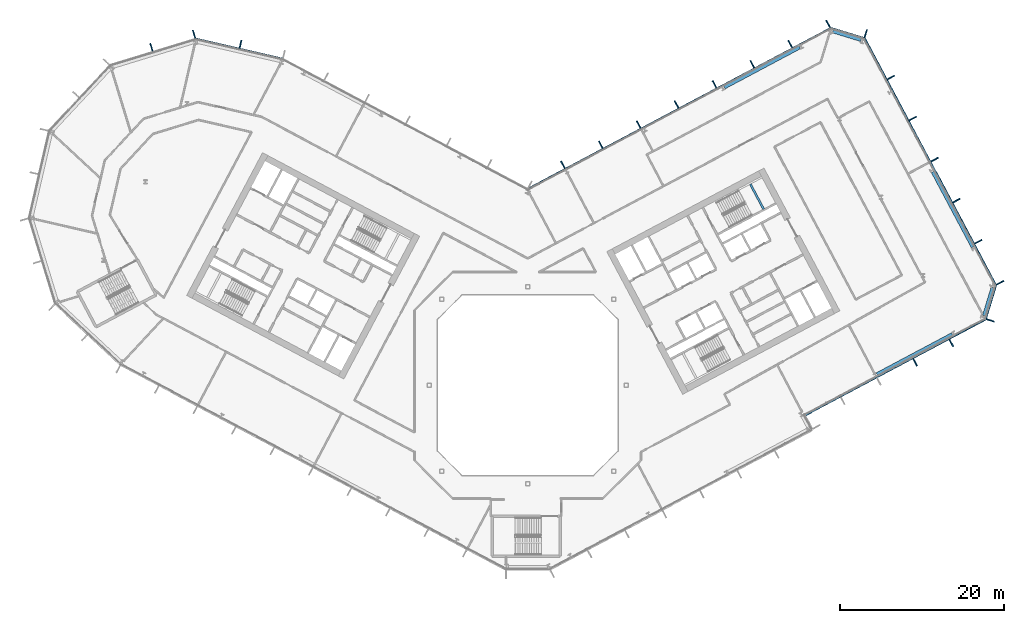
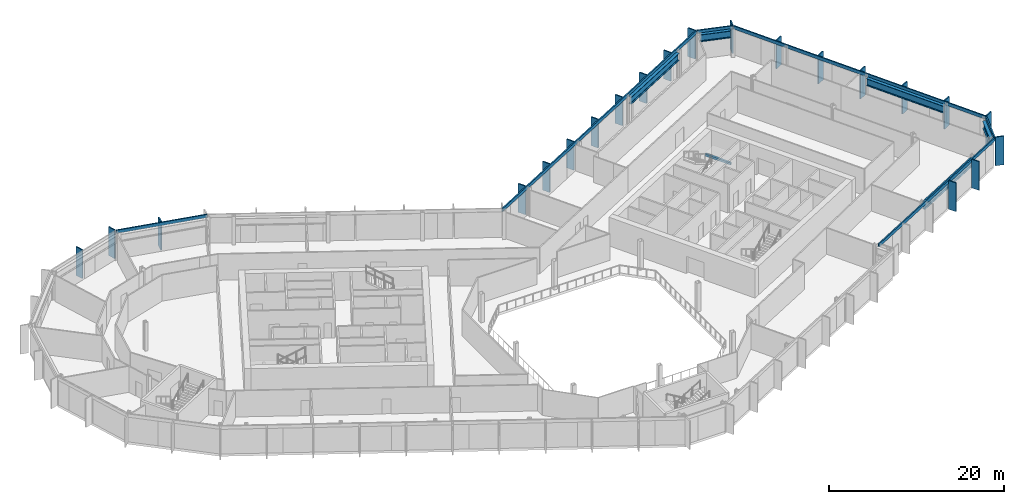
# One storey, part 10 of 28: 27 members, 6 beams, 7 elements without a shape of their own.
"""IFC4 building model written with IfcOpenShell, lengths in metres."""

from ifc_helpers import new_model, si_unit, direction, frame, origin, origin_2d, place, context, subcontext, project, spatial, rectangle, i_section, extrude, material, layer, layer_set, material_profile, profile_set, type_object, element, aggregate, save


model = new_model("IFC4")

# Units and contexts
model_context = context("Model", 3, precision=1e-05, world=origin(), true_north=direction((0.0, 1.0)))
body_context = subcontext(model_context, "Body", "Model", "MODEL_VIEW")
ifc_project = project(units=[si_unit("LENGTHUNIT", "METRE"), si_unit("AREAUNIT", "SQUARE_METRE"), si_unit("VOLUMEUNIT", "CUBIC_METRE"), si_unit("PLANEANGLEUNIT", "RADIAN"), si_unit("MASSUNIT", "GRAM", prefix="KILO")], contexts=[model_context])

# Site, building, storey
site_placement = place(None, origin())
site = spatial("IfcSite", under=ifc_project, at=site_placement, CompositionType="ELEMENT")
building_placement = place(site_placement, origin())
building = spatial("IfcBuilding", under=site, at=building_placement, Name="Cormorant Relay Tower", CompositionType="ELEMENT")
storey_placement = place(building_placement, frame((0.0, 0.0, 122.199951171875)))
storey = spatial("IfcBuildingStorey", under=building, at=storey_placement, Name="L24", CompositionType="ELEMENT", Elevation=122.199951171875)

# Curtain wall, members
ifc_material_1 = material(Name="Aluminium 6063-T6 anodised bronze", Category="aluminium")
ifc_layer = layer(ifc_material_1, 0.199951171875)
ifc_layer_set = layer_set([ifc_layer], Name="CW1 unitised bronze curtain wall with vertical fins")
curtain_wall_type = type_object("IfcCurtainWallType", Name="CW1 unitised bronze curtain wall with vertical fins", PredefinedType="NOTDEFINED", material=ifc_layer_set)
curtain_wall_1_placement = place(storey_placement, origin())
curtain_wall_1 = element("IfcCurtainWall", 1, at=curtain_wall_1_placement, inside=storey, type_object=curtain_wall_type, Name="CW1 curtain wall 4", PredefinedType="NOTDEFINED")
ifc_material_2 = material(Name="Aluminium 6063-T6 anodised bronze", Category="aluminium")
ifc_material_profile_1 = material_profile(ifc_material_2, rectangle(XDim=0.14990234375, YDim=1.0, at=origin_2d()), Name="AL 150x1000")
ifc_profile_set_1 = profile_set([ifc_material_profile_1], Name="Aluminium 6063-T6 anodised bronze")
member_type_1 = type_object("IfcMemberType", Name="CW1 bronze fin mullion 150 x 1000", PredefinedType="MULLION", material=ifc_profile_set_1)
member_1_placement = place(storey_placement, frame((47.21533203125, 2.793212890625, 0.0), z_axis=(0.0, 0.0, 1.0), x_axis=(0.882947592859, 0.469471562786, 0.0)))
member_1 = element("IfcMember", 2, at=member_1_placement, type_object=member_type_1, Name="CW1 fin 4.4", PredefinedType="MULLION", context=body_context, shape_type="SweptSolid", body=[
    extrude(rectangle(XDim=0.14990234375, YDim=1.0, at=origin_2d()), origin(), (0.0, 0.0, 1.0), 4.0),
])
member_2_placement = place(storey_placement, frame((51.630126953125, 5.140625, 0.0), z_axis=(0.0, 0.0, 1.0), x_axis=(0.882947592859, 0.469471562786, 0.0)))
member_2 = element("IfcMember", 3, at=member_2_placement, type_object=member_type_1, Name="CW1 fin 4.5", PredefinedType="MULLION", context=body_context, shape_type="SweptSolid", body=[
    extrude(rectangle(XDim=0.14990234375, YDim=1.0, at=origin_2d()), origin(), (0.0, 0.0, 1.0), 4.0),
])

# Curtain wall, member
curtain_wall_2_placement = place(storey_placement, origin())
curtain_wall_2 = element("IfcCurtainWall", 4, at=curtain_wall_2_placement, inside=storey, type_object=curtain_wall_type, Name="CW1 curtain wall 5", PredefinedType="NOTDEFINED")
member_3_placement = place(storey_placement, frame((56.385498046875, 7.9013671875, 0.0), z_axis=(0.0, 0.0, 1.0), x_axis=(0.292371704723, 0.956304755963, 0.0)))
member_3 = element("IfcMember", 5, at=member_3_placement, type_object=member_type_1, Name="CW1 fin 5.1", PredefinedType="MULLION", context=body_context, shape_type="SweptSolid", body=[
    extrude(rectangle(XDim=0.14990234375, YDim=1.0, at=origin_2d()), origin(), (0.0, 0.0, 1.0), 4.0),
])

# Curtain wall, members
curtain_wall_3_placement = place(storey_placement, origin())
curtain_wall_3 = element("IfcCurtainWall", 6, at=curtain_wall_3_placement, inside=storey, type_object=curtain_wall_type, Name="CW1 curtain wall 6", PredefinedType="NOTDEFINED")
member_4_placement = place(storey_placement, frame((57.57470703125, 12.491943359375, 0.0), z_axis=(0.0, 0.0, 1.0), x_axis=(-0.469471562786, 0.882947592859, 0.0)))
member_4 = element("IfcMember", 7, at=member_4_placement, type_object=member_type_1, Name="CW1 fin 6.1", PredefinedType="MULLION", context=body_context, shape_type="SweptSolid", body=[
    extrude(rectangle(XDim=0.14990234375, YDim=1.0, at=origin_2d()), origin(), (0.0, 0.0, 1.0), 4.0),
])
member_5_placement = place(storey_placement, frame((54.914306640625, 17.4951171875, 0.0), z_axis=(0.0, 0.0, 1.0), x_axis=(-0.469471562786, 0.882947592859, 0.0)))
member_5 = element("IfcMember", 8, at=member_5_placement, type_object=member_type_1, Name="CW1 fin 6.2", PredefinedType="MULLION", context=body_context, shape_type="SweptSolid", body=[
    extrude(rectangle(XDim=0.14990234375, YDim=1.0, at=origin_2d()), origin(), (0.0, 0.0, 1.0), 4.0),
])
member_6_placement = place(storey_placement, frame((52.25390625, 22.49853515625, 0.0), z_axis=(0.0, 0.0, 1.0), x_axis=(-0.469471562786, 0.882947592859, 0.0)))
member_6 = element("IfcMember", 9, at=member_6_placement, type_object=member_type_1, Name="CW1 fin 6.3", PredefinedType="MULLION", context=body_context, shape_type="SweptSolid", body=[
    extrude(rectangle(XDim=0.14990234375, YDim=1.0, at=origin_2d()), origin(), (0.0, 0.0, 1.0), 4.0),
])
member_7_placement = place(storey_placement, frame((49.59375, 27.501953125, 0.0), z_axis=(0.0, 0.0, 1.0), x_axis=(-0.469471562786, 0.882947592859, 0.0)))
member_7 = element("IfcMember", 10, at=member_7_placement, type_object=member_type_1, Name="CW1 fin 6.4", PredefinedType="MULLION", context=body_context, shape_type="SweptSolid", body=[
    extrude(rectangle(XDim=0.14990234375, YDim=1.0, at=origin_2d()), origin(), (0.0, 0.0, 1.0), 4.0),
])
member_8_placement = place(storey_placement, frame((46.933349609375, 32.50537109375, 0.0), z_axis=(0.0, 0.0, 1.0), x_axis=(-0.469471562786, 0.882947592859, 0.0)))
member_8 = element("IfcMember", 11, at=member_8_placement, type_object=member_type_1, Name="CW1 fin 6.5", PredefinedType="MULLION", context=body_context, shape_type="SweptSolid", body=[
    extrude(rectangle(XDim=0.14990234375, YDim=1.0, at=origin_2d()), origin(), (0.0, 0.0, 1.0), 4.0),
])
member_9_placement = place(storey_placement, frame((44.27294921875, 37.5087890625, 0.0), z_axis=(0.0, 0.0, 1.0), x_axis=(-0.469471562786, 0.882947592859, 0.0)))
member_9 = element("IfcMember", 12, at=member_9_placement, type_object=member_type_1, Name="CW1 fin 6.6", PredefinedType="MULLION", context=body_context, shape_type="SweptSolid", body=[
    extrude(rectangle(XDim=0.14990234375, YDim=1.0, at=origin_2d()), origin(), (0.0, 0.0, 1.0), 4.0),
])

# Curtain wall, member
curtain_wall_4_placement = place(storey_placement, origin())
curtain_wall_4 = element("IfcCurtainWall", 13, at=curtain_wall_4_placement, inside=storey, type_object=curtain_wall_type, Name="CW1 curtain wall 7", PredefinedType="NOTDEFINED")
member_10_placement = place(storey_placement, frame((41.19921875, 42.852783203125, 0.0), z_axis=(0.0, 0.0, 1.0), x_axis=(-0.956304755963, 0.292371704723, 0.0)))
member_10 = element("IfcMember", 14, at=member_10_placement, type_object=member_type_1, Name="CW1 fin 7.1", PredefinedType="MULLION", context=body_context, shape_type="SweptSolid", body=[
    extrude(rectangle(XDim=0.14990234375, YDim=1.0, at=origin_2d()), origin(), (0.0, 0.0, 1.0), 4.0),
])

# Curtain wall, members
curtain_wall_5_placement = place(storey_placement, origin())
curtain_wall_5 = element("IfcCurtainWall", 15, at=curtain_wall_5_placement, inside=storey, type_object=curtain_wall_type, Name="CW1 curtain wall 8", PredefinedType="NOTDEFINED")
member_11_placement = place(storey_placement, frame((36.608642578125, 44.0419921875, 0.0), z_axis=(0.0, 0.0, 1.0), x_axis=(-0.882947592859, -0.469471562786, 0.0)))
member_11 = element("IfcMember", 16, at=member_11_placement, type_object=member_type_1, Name="CW1 fin 8.1", PredefinedType="MULLION", context=body_context, shape_type="SweptSolid", body=[
    extrude(rectangle(XDim=0.14990234375, YDim=1.0, at=origin_2d()), origin(), (0.0, 0.0, 1.0), 4.0),
])
member_12_placement = place(storey_placement, frame((31.991455078125, 41.5869140625, 0.0), z_axis=(0.0, 0.0, 1.0), x_axis=(-0.882947592859, -0.469471562786, 0.0)))
member_12 = element("IfcMember", 17, at=member_12_placement, type_object=member_type_1, Name="CW1 fin 8.2", PredefinedType="MULLION", context=body_context, shape_type="SweptSolid", body=[
    extrude(rectangle(XDim=0.14990234375, YDim=1.0, at=origin_2d()), origin(), (0.0, 0.0, 1.0), 4.0),
])
member_13_placement = place(storey_placement, frame((27.37451171875, 39.132080078125, 0.0), z_axis=(0.0, 0.0, 1.0), x_axis=(-0.882947592859, -0.469471562786, 0.0)))
member_13 = element("IfcMember", 18, at=member_13_placement, type_object=member_type_1, Name="CW1 fin 8.3", PredefinedType="MULLION", context=body_context, shape_type="SweptSolid", body=[
    extrude(rectangle(XDim=0.14990234375, YDim=1.0, at=origin_2d()), origin(), (0.0, 0.0, 1.0), 4.0),
])
member_14_placement = place(storey_placement, frame((22.757080078125, 36.677001953125, 0.0), z_axis=(0.0, 0.0, 1.0), x_axis=(-0.882947592859, -0.469471562786, 0.0)))
member_14 = element("IfcMember", 19, at=member_14_placement, type_object=member_type_1, Name="CW1 fin 8.4", PredefinedType="MULLION", context=body_context, shape_type="SweptSolid", body=[
    extrude(rectangle(XDim=0.14990234375, YDim=1.0, at=origin_2d()), origin(), (0.0, 0.0, 1.0), 4.0),
])
member_15_placement = place(storey_placement, frame((18.139892578125, 34.221923828125, 0.0), z_axis=(0.0, 0.0, 1.0), x_axis=(-0.882947592859, -0.469471562786, 0.0)))
member_15 = element("IfcMember", 20, at=member_15_placement, type_object=member_type_1, Name="CW1 fin 8.5", PredefinedType="MULLION", context=body_context, shape_type="SweptSolid", body=[
    extrude(rectangle(XDim=0.14990234375, YDim=1.0, at=origin_2d()), origin(), (0.0, 0.0, 1.0), 4.0),
])
member_16_placement = place(storey_placement, frame((13.52294921875, 31.76708984375, 0.0), z_axis=(0.0, 0.0, 1.0), x_axis=(-0.882947592859, -0.469471562786, 0.0)))
member_16 = element("IfcMember", 21, at=member_16_placement, type_object=member_type_1, Name="CW1 fin 8.6", PredefinedType="MULLION", context=body_context, shape_type="SweptSolid", body=[
    extrude(rectangle(XDim=0.14990234375, YDim=1.0, at=origin_2d()), origin(), (0.0, 0.0, 1.0), 4.0),
])
member_17_placement = place(storey_placement, frame((8.90576171875, 29.31201171875, 0.0), z_axis=(0.0, 0.0, 1.0), x_axis=(-0.882947592859, -0.469471562786, 0.0)))
member_17 = element("IfcMember", 22, at=member_17_placement, type_object=member_type_1, Name="CW1 fin 8.7", PredefinedType="MULLION", context=body_context, shape_type="SweptSolid", body=[
    extrude(rectangle(XDim=0.14990234375, YDim=1.0, at=origin_2d()), origin(), (0.0, 0.0, 1.0), 4.0),
])
member_18_placement = place(storey_placement, frame((4.28857421875, 26.85693359375, 0.0), z_axis=(0.0, 0.0, 1.0), x_axis=(-0.882947592859, -0.469471562786, 0.0)))
member_18 = element("IfcMember", 23, at=member_18_placement, type_object=member_type_1, Name="CW1 fin 8.8", PredefinedType="MULLION", context=body_context, shape_type="SweptSolid", body=[
    extrude(rectangle(XDim=0.14990234375, YDim=1.0, at=origin_2d()), origin(), (0.0, 0.0, 1.0), 4.0),
])

# Curtain wall, member
curtain_wall_6_placement = place(storey_placement, origin())
curtain_wall_6 = element("IfcCurtainWall", 24, at=curtain_wall_6_placement, inside=storey, type_object=curtain_wall_type, Name="CW1 curtain wall 10", PredefinedType="NOTDEFINED")
member_19_placement = place(storey_placement, frame((-35.01220703125, 41.57275390625, 0.0), z_axis=(0.0, 0.0, 1.0), x_axis=(-0.974370064785, 0.224951054344, 0.0)))
member_19 = element("IfcMember", 25, at=member_19_placement, type_object=member_type_1, Name="CW1 fin 10.2", PredefinedType="MULLION", context=body_context, shape_type="SweptSolid", body=[
    extrude(rectangle(XDim=0.14990234375, YDim=1.0, at=origin_2d()), origin(), (0.0, 0.0, 1.0), 4.0),
])

# Curtain wall, members
curtain_wall_7_placement = place(storey_placement, origin())
curtain_wall_7 = element("IfcCurtainWall", 26, at=curtain_wall_7_placement, inside=storey, type_object=curtain_wall_type, Name="CW1 curtain wall 11", PredefinedType="NOTDEFINED")
member_20_placement = place(storey_placement, frame((-40.670166015625, 42.78271484375, 0.0), z_axis=(0.0, 0.0, 1.0), x_axis=(-0.956304755963, -0.292371704723, 0.0)))
member_20 = element("IfcMember", 27, at=member_20_placement, type_object=member_type_1, Name="CW1 fin 11.1", PredefinedType="MULLION", context=body_context, shape_type="SweptSolid", body=[
    extrude(rectangle(XDim=0.14990234375, YDim=1.0, at=origin_2d()), origin(), (0.0, 0.0, 1.0), 4.0),
])
member_21_placement = place(storey_placement, frame((-45.867919921875, 41.193603515625, 0.0), z_axis=(0.0, 0.0, 1.0), x_axis=(-0.956304755963, -0.292371704723, 0.0)))
member_21 = element("IfcMember", 28, at=member_21_placement, type_object=member_type_1, Name="CW1 fin 11.2", PredefinedType="MULLION", context=body_context, shape_type="SweptSolid", body=[
    extrude(rectangle(XDim=0.14990234375, YDim=1.0, at=origin_2d()), origin(), (0.0, 0.0, 1.0), 4.0),
])
aggregate(curtain_wall_7, [member_20, member_21])

# Member
ifc_material_3 = material(Name="Aluminium 6063-T6 anodised bronze", Category="aluminium")
ifc_material_profile_2 = material_profile(ifc_material_3, rectangle(XDim=0.159912109375, YDim=0.449951171875, at=origin_2d()), Name="AL 160x450")
ifc_profile_set_2 = profile_set([ifc_material_profile_2], Name="Aluminium 6063-T6 anodised bronze")
member_type_2 = type_object("IfcMemberType", Name="CW1 bronze transom 160 x 450", PredefinedType="USERDEFINED", material=ifc_profile_set_2)
member_22_placement = place(storey_placement, frame((33.69873046875, -3.73681640625, 3.775146484375), z_axis=(0.88294749795, 0.469471741284, 0.0), x_axis=(-0.469471741284, 0.88294749795, 0.0)))
member_22 = element("IfcMember", 29, at=member_22_placement, type_object=member_type_2, Name="CW1 transom 4", ObjectType="TRANSOM", PredefinedType="USERDEFINED", context=body_context, shape_type="SweptSolid", body=[
    extrude(rectangle(XDim=0.159912109375, YDim=0.449951171875, at=origin_2d()), origin(), (0.0, 0.0, 1.0), 25.0),
])

aggregate(curtain_wall_1, [member_1, member_2, member_22])

member_23_placement = place(storey_placement, frame((55.830810546875, 8.07080078125, 3.775146484375), z_axis=(0.292374957137, 0.956303761594, 0.0), x_axis=(-0.956303761594, 0.292374957137, 0.0)))
member_23 = element("IfcMember", 30, at=member_23_placement, type_object=member_type_2, Name="CW1 transom 5", ObjectType="TRANSOM", PredefinedType="USERDEFINED", context=body_context, shape_type="SweptSolid", body=[
    extrude(rectangle(XDim=0.159912109375, YDim=0.449951171875, at=origin_2d()), origin(), (0.0, 0.0, 1.0), 4.24267578125),
])

aggregate(curtain_wall_2, [member_3, member_23])

member_24_placement = place(storey_placement, frame((57.0625, 12.219482421875, 3.775146484375), z_axis=(-0.469468277635, 0.882949339597, 0.0), x_axis=(-0.882949339597, -0.469468277635, 0.0)))
member_24 = element("IfcMember", 31, at=member_24_placement, type_object=member_type_2, Name="CW1 transom 6", ObjectType="TRANSOM", PredefinedType="USERDEFINED", context=body_context, shape_type="SweptSolid", body=[
    extrude(rectangle(XDim=0.159912109375, YDim=0.449951171875, at=origin_2d()), origin(), (0.0, 0.0, 1.0), 34.0),
])

aggregate(curtain_wall_3, [member_4, member_5, member_6, member_7, member_8, member_9, member_24])

member_25_placement = place(storey_placement, frame((41.02978515625, 42.298095703125, 3.775146484375), z_axis=(-0.956303761594, 0.292374957137, 0.0), x_axis=(-0.292374957137, -0.956303761594, 0.0)))
member_25 = element("IfcMember", 32, at=member_25_placement, type_object=member_type_2, Name="CW1 transom 7", ObjectType="TRANSOM", PredefinedType="USERDEFINED", context=body_context, shape_type="SweptSolid", body=[
    extrude(rectangle(XDim=0.159912109375, YDim=0.449951171875, at=origin_2d()), origin(), (0.0, 0.0, 1.0), 4.24267578125),
])

aggregate(curtain_wall_4, [member_10, member_25])

member_26_placement = place(storey_placement, frame((36.881103515625, 43.52978515625, 3.775146484375), z_axis=(-0.88294882701, -0.469469241677, 0.0), x_axis=(0.469469241677, -0.88294882701, 0.0)))
member_26 = element("IfcMember", 33, at=member_26_placement, type_object=member_type_2, Name="CW1 transom 8", ObjectType="TRANSOM", PredefinedType="USERDEFINED", context=body_context, shape_type="SweptSolid", body=[
    extrude(rectangle(XDim=0.159912109375, YDim=0.449951171875, at=origin_2d()), origin(), (0.0, 0.0, 1.0), 41.834228515625),
])

aggregate(curtain_wall_5, [member_11, member_12, member_13, member_14, member_15, member_16, member_17, member_18, member_26])

member_27_placement = place(storey_placement, frame((-29.8466796875, 39.784912109375, 3.775146484375), z_axis=(-0.974365070969, 0.224972683844, 0.0), x_axis=(-0.224972683844, -0.974365070969, 0.0)))
member_27 = element("IfcMember", 34, at=member_27_placement, type_object=member_type_2, Name="CW1 transom 10", ObjectType="TRANSOM", PredefinedType="USERDEFINED", context=body_context, shape_type="SweptSolid", body=[
    extrude(rectangle(XDim=0.159912109375, YDim=0.449951171875, at=origin_2d()), origin(), (0.0, 0.0, 1.0), 10.870361328125),
])

aggregate(curtain_wall_6, [member_19, member_27])

# Beams
ifc_material_4 = material(Name="Steel ASTM A992 (Fy 345 MPa)", Category="steel")
ifc_material_profile_3 = material_profile(ifc_material_4, i_section(OverallWidth=0.4013671875, OverallDepth=1.000732421875, WebThickness=0.01904296875, FlangeThickness=0.0361328125, FilletRadius=0.02978515625, at=origin_2d()), Name="W1000x371")
ifc_profile_set_3 = profile_set([ifc_material_profile_3], Name="Steel ASTM A992 (Fy 345 MPa)")
beam_type_1 = type_object("IfcBeamType", Name="Spandrel W1000x371", PredefinedType="SPANDREL", material=ifc_profile_set_3)
beam_1_placement = place(storey_placement, frame((42.5595703125, 1.337890625, 3.1396484375), z_axis=(0.882955922346, 0.469455896963, 0.0), x_axis=(-0.469455896963, 0.882955922346, 0.0)))
element("IfcBeam", 35, at=beam_1_placement, inside=storey, type_object=beam_type_1, Name="Spandrel beam L24-004", PredefinedType="SPANDREL", context=body_context, shape_type="SweptSolid", body=[
    extrude(i_section(OverallWidth=0.4013671875, OverallDepth=1.000732421875, WebThickness=0.01904296875, FlangeThickness=0.0361328125, FilletRadius=0.02978515625, at=origin_2d()), origin(), (0.0, 0.0, 1.0), 10.388427734375),
])
beam_2_placement = place(storey_placement, frame((55.62548828125, 8.495849609375, 3.1396484375), z_axis=(0.29237248799, 0.956304516494, 0.0), x_axis=(-0.956304516494, 0.29237248799, 0.0)))
element("IfcBeam", 36, at=beam_2_placement, inside=storey, type_object=beam_type_1, Name="Spandrel beam L24-005", PredefinedType="SPANDREL", context=body_context, shape_type="SweptSolid", body=[
    extrude(i_section(OverallWidth=0.4013671875, OverallDepth=1.000732421875, WebThickness=0.01904296875, FlangeThickness=0.0361328125, FilletRadius=0.02978515625, at=origin_2d()), origin(), (0.0, 0.0, 1.0), 3.585693359375),
])
beam_3_placement = place(storey_placement, frame((54.24169921875, 16.841796875, 3.1396484375), z_axis=(-0.469474218299, 0.882946180893, 0.0), x_axis=(-0.882946180893, -0.469474218299, 0.0)))
element("IfcBeam", 37, at=beam_3_placement, inside=storey, type_object=beam_type_1, Name="Spandrel beam L24-006", PredefinedType="SPANDREL", context=body_context, shape_type="SweptSolid", body=[
    extrude(i_section(OverallWidth=0.4013671875, OverallDepth=1.000732421875, WebThickness=0.01904296875, FlangeThickness=0.0361328125, FilletRadius=0.02978515625, at=origin_2d()), origin(), (0.0, 0.0, 1.0), 10.388671875),
])
beam_4_placement = place(storey_placement, frame((40.605224609375, 42.0927734375, 3.1396484375), z_axis=(-0.956311914022, 0.292348290742, 0.0), x_axis=(-0.292348290742, -0.956311914022, 0.0)))
element("IfcBeam", 38, at=beam_4_placement, inside=storey, type_object=beam_type_1, Name="Spandrel beam L24-007", PredefinedType="SPANDREL", context=body_context, shape_type="SweptSolid", body=[
    extrude(i_section(OverallWidth=0.4013671875, OverallDepth=1.000732421875, WebThickness=0.01904296875, FlangeThickness=0.0361328125, FilletRadius=0.02978515625, at=origin_2d()), origin(), (0.0, 0.0, 1.0), 3.585205078125),
])
beam_5_placement = place(storey_placement, frame((33.141357421875, 41.17822265625, 3.1396484375), z_axis=(-0.882955922346, -0.469455896963, 0.0), x_axis=(0.469455896963, -0.882955922346, 0.0)))
element("IfcBeam", 39, at=beam_5_placement, inside=storey, type_object=beam_type_1, Name="Spandrel beam L24-008", PredefinedType="SPANDREL", context=body_context, shape_type="SweptSolid", body=[
    extrude(i_section(OverallWidth=0.4013671875, OverallDepth=1.000732421875, WebThickness=0.01904296875, FlangeThickness=0.0361328125, FilletRadius=0.02978515625, at=origin_2d()), origin(), (0.0, 0.0, 1.0), 10.388427734375),
])
ifc_material_5 = material(Name="Concrete 50 MPa", Category="concrete")
ifc_material_profile_4 = material_profile(ifc_material_5, rectangle(XDim=0.25, YDim=0.300048828125, at=origin_2d()), Name="RC 250x300")
ifc_profile_set_4 = profile_set([ifc_material_profile_4], Name="Concrete 50 MPa")
beam_type_2 = type_object("IfcBeamType", Name="Stair landing ledge beam 250x300", PredefinedType="BEAM", material=ifc_profile_set_4)
beam_6_placement = place(storey_placement, frame((28.755126953125, 21.4619140625, 1.650146484375), z_axis=(-0.469463917486, 0.882951657895, 0.0), x_axis=(-0.882951657895, -0.469463917486, 0.0)))
element("IfcBeam", 40, at=beam_6_placement, inside=storey, type_object=beam_type_2, Name="B2 landing ledge beam", PredefinedType="BEAM", context=body_context, shape_type="SweptSolid", body=[
    extrude(rectangle(XDim=0.25, YDim=0.300048828125, at=origin_2d()), origin(), (0.0, 0.0, 1.0), 3.449951171875),
])

save(model, "model.ifc")
